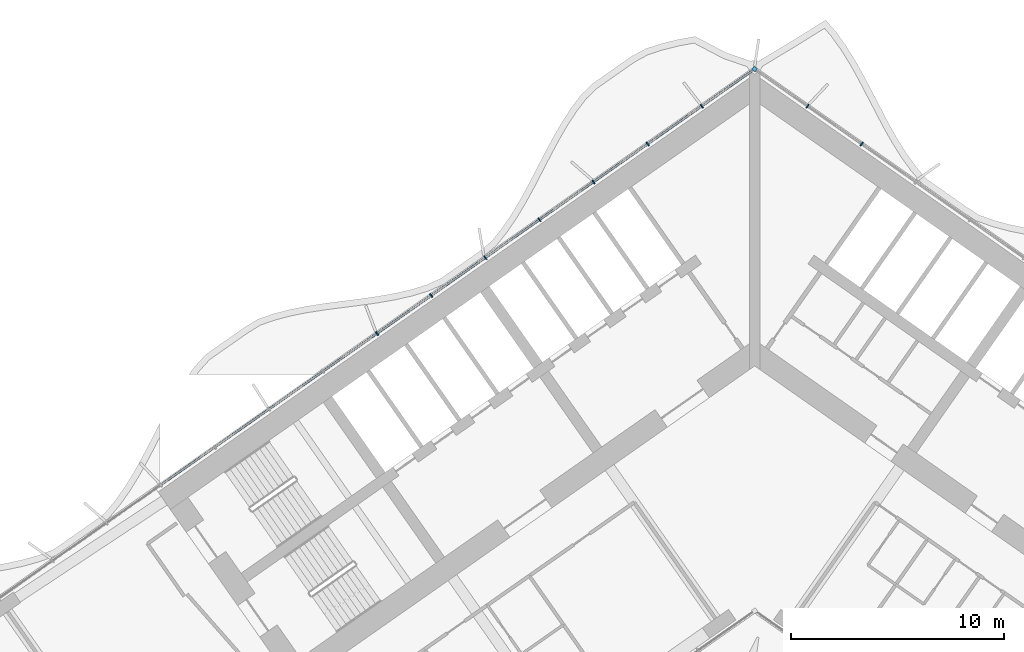
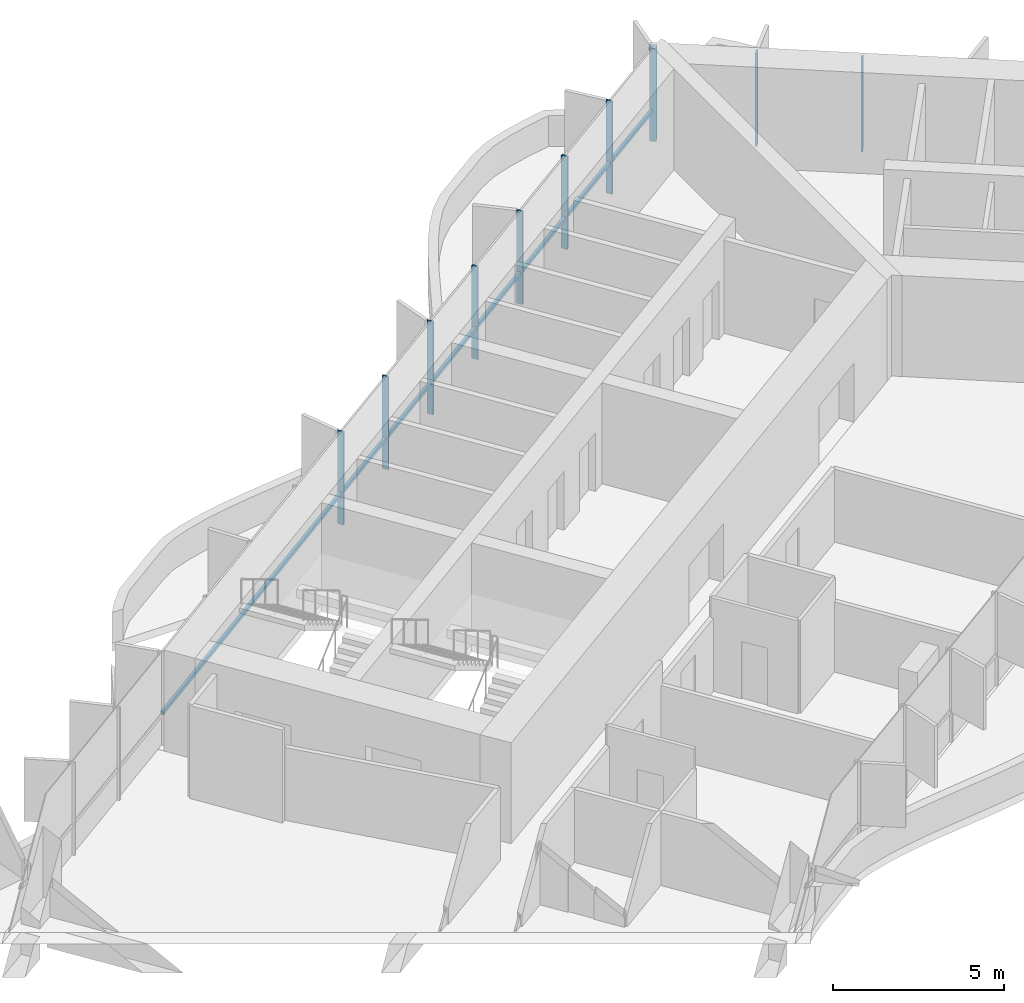
# One storey, part 7 of 23: 11 members, 1 element without a shape of its own.
"""IFC4 building model written with IfcOpenShell, lengths in metres."""

from ifc_helpers import new_model, si_unit, direction, frame, origin, origin_2d, place, context, subcontext, project, spatial, rectangle, extrude, material, material_profile, profile_set, type_object, element, aggregate, save


model = new_model("IFC4")

# Units and contexts
model_context = context("Model", 3, precision=1e-05, world=origin(), true_north=direction((0.0, 1.0)))
body_context = subcontext(model_context, "Body", "Model", "MODEL_VIEW")
ifc_project = project(units=[si_unit("LENGTHUNIT", "METRE"), si_unit("AREAUNIT", "SQUARE_METRE"), si_unit("VOLUMEUNIT", "CUBIC_METRE"), si_unit("PLANEANGLEUNIT", "RADIAN"), si_unit("MASSUNIT", "GRAM", prefix="KILO")], contexts=[model_context])

# Site, building, storey
site_placement = place(None, origin())
site = spatial("IfcSite", under=ifc_project, at=site_placement, CompositionType="ELEMENT")
building_placement = place(site_placement, origin())
building = spatial("IfcBuilding", under=site, at=building_placement, Name="Tel Ilan Convention Tower", CompositionType="ELEMENT")
storey_placement = place(building_placement, frame((0.0, 0.0, 112.10009765625)))
storey = spatial("IfcBuildingStorey", under=building, at=storey_placement, Name="L24", CompositionType="ELEMENT", Elevation=112.10009765625)

# Curtain wall, members
ifc_material_1 = material(Name="Aluminium, bronze anodised", Category="aluminium")
curtain_wall_type = type_object("IfcCurtainWallType", Name="CW2 STICK CURTAIN WALL, SPANDREL PANELS", PredefinedType="NOTDEFINED", material=ifc_material_1)
curtain_wall_placement = place(storey_placement, origin())
curtain_wall = element("IfcCurtainWall", 1, at=curtain_wall_placement, inside=storey, type_object=curtain_wall_type, Name="Curtain wall CW2-20.01", PredefinedType="NOTDEFINED")
ifc_material_2 = material(Name="Aluminium, bronze anodised", Category="aluminium")
ifc_material_profile_1 = material_profile(ifc_material_2, rectangle(XDim=0.199951171875, YDim=0.199951171875, at=origin_2d()), Name="CW CORNER MULLION 200x200")
ifc_profile_set_1 = profile_set([ifc_material_profile_1], Name="Aluminium, bronze anodised")
member_type_1 = type_object("IfcMemberType", Name="CW CORNER MULLION 200x200", PredefinedType="MULLION", material=ifc_profile_set_1)
member_1_placement = place(storey_placement, frame((0.0, 12.696044921875, 0.0), z_axis=(0.0, 0.0, 1.0), x_axis=(-0.819152044289, 0.573576436351, 0.0)))
member_1 = element("IfcMember", 2, at=member_1_placement, type_object=member_type_1, Name="Corner mullion", PredefinedType="MULLION", context=body_context, shape_type="SweptSolid", body=[
    extrude(rectangle(XDim=0.199951171875, YDim=0.199951171875, at=origin_2d()), origin(), (0.0, 0.0, 1.0), 3.31982421875),
])
ifc_material_3 = material(Name="Aluminium, bronze anodised", Category="aluminium")
ifc_material_profile_2 = material_profile(ifc_material_3, rectangle(XDim=0.06005859375, YDim=0.199951171875, at=origin_2d()), Name="CW MULLION 60x200")
ifc_profile_set_2 = profile_set([ifc_material_profile_2], Name="Aluminium, bronze anodised")
member_type_2 = type_object("IfcMemberType", Name="CW MULLION 60x200", PredefinedType="MULLION", material=ifc_profile_set_2)
member_2_placement = place(storey_placement, frame((5.0166015625, 9.18359375, 0.0), z_axis=(0.0, 0.0, 1.0), x_axis=(-0.819152044289, 0.573576436351, 0.0)))
member_2 = element("IfcMember", 3, at=member_2_placement, type_object=member_type_2, Name="Mullion", PredefinedType="MULLION", context=body_context, shape_type="SweptSolid", body=[
    extrude(rectangle(XDim=0.06005859375, YDim=0.199951171875, at=origin_2d()), origin(), (0.0, 0.0, 1.0), 3.31982421875),
])
member_3_placement = place(storey_placement, frame((2.4794921875, 10.9599609375, 0.0), z_axis=(0.0, 0.0, 1.0), x_axis=(-0.819152044289, 0.573576436351, 0.0)))
member_3 = element("IfcMember", 4, at=member_3_placement, type_object=member_type_2, Name="Mullion", PredefinedType="MULLION", context=body_context, shape_type="SweptSolid", body=[
    extrude(rectangle(XDim=0.06005859375, YDim=0.199951171875, at=origin_2d()), origin(), (0.0, 0.0, 1.0), 3.31982421875),
])
member_4_placement = place(storey_placement, frame((-2.4794921875, 10.9599609375, 0.0), z_axis=(0.0, 0.0, 1.0), x_axis=(-0.819152044289, -0.573576436351, 0.0)))
member_4 = element("IfcMember", 5, at=member_4_placement, type_object=member_type_2, Name="Mullion", PredefinedType="MULLION", context=body_context, shape_type="SweptSolid", body=[
    extrude(rectangle(XDim=0.06005859375, YDim=0.199951171875, at=origin_2d()), origin(), (0.0, 0.0, 1.0), 3.31982421875),
])
member_5_placement = place(storey_placement, frame((-5.0166015625, 9.18359375, 0.0), z_axis=(0.0, 0.0, 1.0), x_axis=(-0.819152044289, -0.573576436351, 0.0)))
member_5 = element("IfcMember", 6, at=member_5_placement, type_object=member_type_2, Name="Mullion", PredefinedType="MULLION", context=body_context, shape_type="SweptSolid", body=[
    extrude(rectangle(XDim=0.06005859375, YDim=0.199951171875, at=origin_2d()), origin(), (0.0, 0.0, 1.0), 3.31982421875),
])
member_6_placement = place(storey_placement, frame((-7.553466796875, 7.406982421875, 0.0), z_axis=(0.0, 0.0, 1.0), x_axis=(-0.819152044289, -0.573576436351, 0.0)))
member_6 = element("IfcMember", 7, at=member_6_placement, type_object=member_type_2, Name="Mullion", PredefinedType="MULLION", context=body_context, shape_type="SweptSolid", body=[
    extrude(rectangle(XDim=0.06005859375, YDim=0.199951171875, at=origin_2d()), origin(), (0.0, 0.0, 1.0), 3.31982421875),
])
member_7_placement = place(storey_placement, frame((-10.09033203125, 5.630615234375, 0.0), z_axis=(0.0, 0.0, 1.0), x_axis=(-0.819152044289, -0.573576436351, 0.0)))
member_7 = element("IfcMember", 8, at=member_7_placement, type_object=member_type_2, Name="Mullion", PredefinedType="MULLION", context=body_context, shape_type="SweptSolid", body=[
    extrude(rectangle(XDim=0.06005859375, YDim=0.199951171875, at=origin_2d()), origin(), (0.0, 0.0, 1.0), 3.31982421875),
])
member_8_placement = place(storey_placement, frame((-12.627197265625, 3.854248046875, 0.0), z_axis=(0.0, 0.0, 1.0), x_axis=(-0.819152044289, -0.573576436351, 0.0)))
member_8 = element("IfcMember", 9, at=member_8_placement, type_object=member_type_2, Name="Mullion", PredefinedType="MULLION", context=body_context, shape_type="SweptSolid", body=[
    extrude(rectangle(XDim=0.06005859375, YDim=0.199951171875, at=origin_2d()), origin(), (0.0, 0.0, 1.0), 3.31982421875),
])
member_9_placement = place(storey_placement, frame((-15.1640625, 2.077880859375, 0.0), z_axis=(0.0, 0.0, 1.0), x_axis=(-0.819152044289, -0.573576436351, 0.0)))
member_9 = element("IfcMember", 10, at=member_9_placement, type_object=member_type_2, Name="Mullion", PredefinedType="MULLION", context=body_context, shape_type="SweptSolid", body=[
    extrude(rectangle(XDim=0.06005859375, YDim=0.199951171875, at=origin_2d()), origin(), (0.0, 0.0, 1.0), 3.31982421875),
])
member_10_placement = place(storey_placement, frame((-17.701171875, 0.301513671875, 0.0), z_axis=(0.0, 0.0, 1.0), x_axis=(-0.819152044289, -0.573576436351, 0.0)))
member_10 = element("IfcMember", 11, at=member_10_placement, type_object=member_type_2, Name="Mullion", PredefinedType="MULLION", context=body_context, shape_type="SweptSolid", body=[
    extrude(rectangle(XDim=0.06005859375, YDim=0.199951171875, at=origin_2d()), origin(), (0.0, 0.0, 1.0), 3.31982421875),
])
ifc_material_4 = material(Name="Aluminium, bronze anodised", Category="aluminium")
ifc_material_profile_3 = material_profile(ifc_material_4, rectangle(XDim=0.10009765625, YDim=0.1201171875, at=origin_2d()), Name="CW TRANSOM 100x120")
ifc_profile_set_3 = profile_set([ifc_material_profile_3], Name="Aluminium, bronze anodised")
member_type_3 = type_object("IfcMemberType", Name="CW TRANSOM 100x120", PredefinedType="USERDEFINED", material=ifc_profile_set_3)
member_11_placement = place(storey_placement, frame((-0.1064453125, 12.62158203125, 1.099853515625), z_axis=(-0.819151916241, -0.573576619222, 0.0), x_axis=(0.573576619222, -0.819151916241, 0.0)))
member_11 = element("IfcMember", 12, at=member_11_placement, type_object=member_type_3, Name="Transom", ObjectType="TRANSOM", PredefinedType="USERDEFINED", context=body_context, shape_type="SweptSolid", body=[
    extrude(rectangle(XDim=0.10009765625, YDim=0.1201171875, at=origin_2d()), origin(), (0.0, 0.0, 1.0), 33.837158203125),
])
aggregate(curtain_wall, [member_2, member_3, member_1, member_4, member_5, member_6, member_7, member_8, member_9, member_10, member_11])

save(model, "model.ifc")
